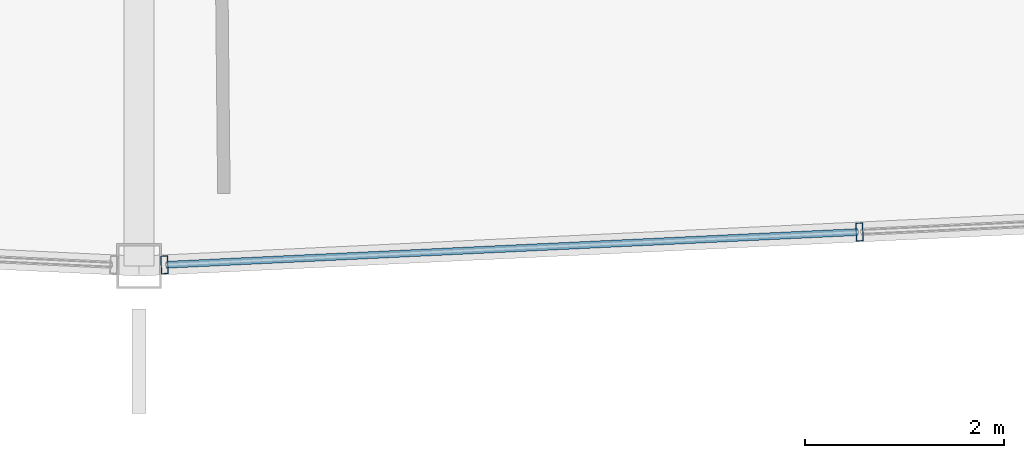
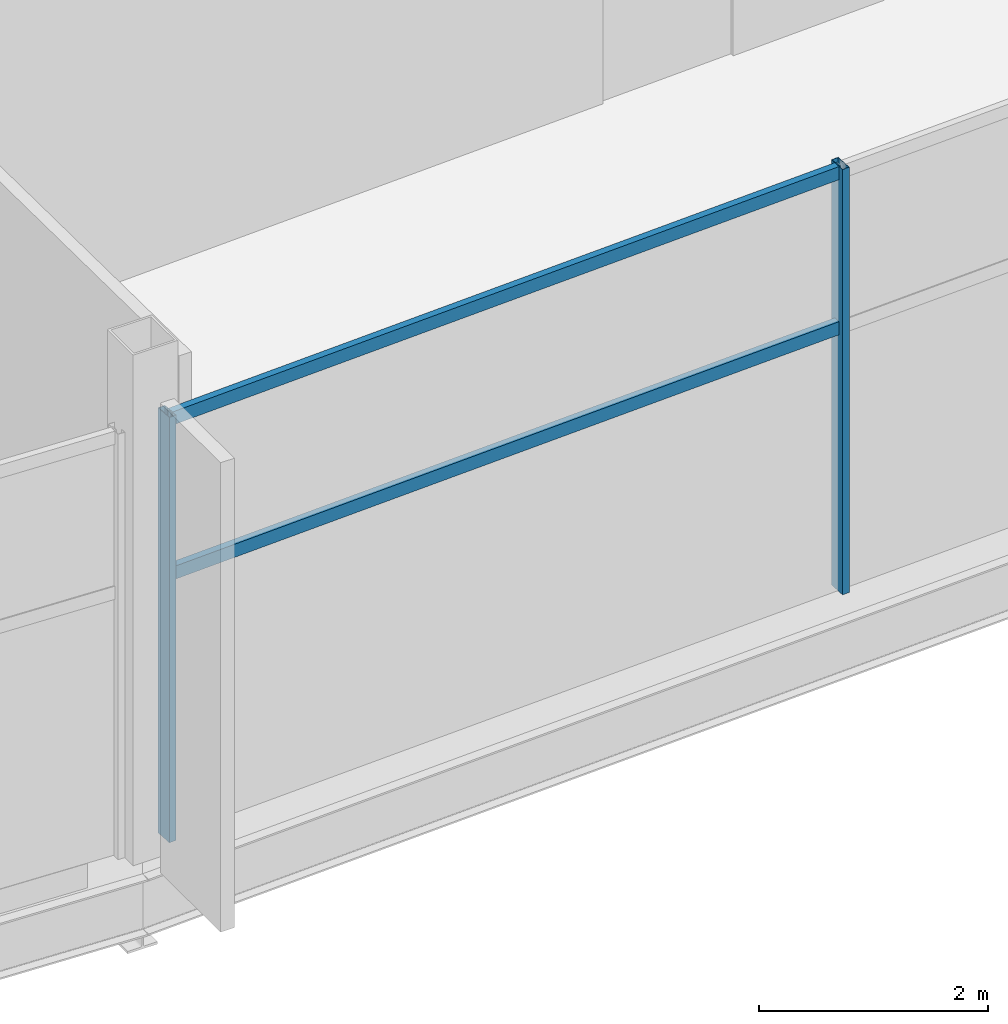
# One storey, part 33 of 186: 4 members, 1 element without a shape of its own.
"""IFC4 building model written with IfcOpenShell, lengths in metres."""

from ifc_helpers import new_model, si_unit, direction, frame, origin, origin_2d, place, context, subcontext, project, spatial, hollow_rectangle, extrude, material, layer, layer_set, material_profile, profile_set, type_object, element, aggregate, save


model = new_model("IFC4")

# Units and contexts
model_context = context("Model", 3, precision=1e-05, world=origin(), true_north=direction((0.0, 1.0)))
body_context = subcontext(model_context, "Body", "Model", "MODEL_VIEW")
ifc_project = project(units=[si_unit("LENGTHUNIT", "METRE"), si_unit("AREAUNIT", "SQUARE_METRE"), si_unit("VOLUMEUNIT", "CUBIC_METRE"), si_unit("PLANEANGLEUNIT", "RADIAN"), si_unit("MASSUNIT", "GRAM", prefix="KILO")], contexts=[model_context])

# Site, building, storey
site_placement = place(None, origin())
site = spatial("IfcSite", under=ifc_project, at=site_placement, CompositionType="ELEMENT")
building_placement = place(site_placement, origin())
building = spatial("IfcBuilding", under=site, at=building_placement, Name="Kazemori Nagisa Stadium", CompositionType="ELEMENT")
storey_placement = place(building_placement, frame((0.0, 0.0, 20.39990234375)))
storey = spatial("IfcBuildingStorey", under=building, at=storey_placement, Name="L04", CompositionType="ELEMENT", Elevation=20.39990234375)

# Curtain wall, members
ifc_material_1 = material(Name="Anodised aluminium 6063-T5", Category="aluminium")
ifc_layer = layer(ifc_material_1, 0.179931640625, Name="Anodised aluminium 6063-T5", Category="aluminium")
ifc_layer_set = layer_set([ifc_layer], Name="Anodised aluminium 6063-T5")
curtain_wall_type = type_object("IfcCurtainWallType", Name="CW_L04R3_105", PredefinedType="USERDEFINED", material=ifc_layer_set)
curtain_wall_placement = place(storey_placement, origin())
curtain_wall = element("IfcCurtainWall", 1, at=curtain_wall_placement, inside=storey, type_object=curtain_wall_type, Name="Unitised curtain wall CW-L04R3-105 L04", ObjectType="UNITISED CURTAIN WALL", PredefinedType="USERDEFINED")
ifc_material_2 = material(Name="Aluminium 6063-T5 anodised", Category="aluminium")
ifc_material_profile_1 = material_profile(ifc_material_2, hollow_rectangle(XDim=0.070068359375, YDim=0.179931640625, WallThickness=0.00390625, at=origin_2d()), Name="ALU-MULL-70x180x4")
ifc_profile_set_1 = profile_set([ifc_material_profile_1], Name="Aluminium 6063-T5 anodised")
member_type_1 = type_object("IfcMemberType", Name="Mullion_M01", PredefinedType="MULLION", material=ifc_profile_set_1)
member_1_placement = place(storey_placement, frame((123.254638671875, 16.011962890625, 0.0), z_axis=(0.0, 0.0, 1.0), x_axis=(0.998884022476, 0.047230388971, 0.0)))
member_1 = element("IfcMember", 2, at=member_1_placement, type_object=member_type_1, Name="Curtain wall mullion CW-L04R3-105-M1", PredefinedType="MULLION", context=body_context, shape_type="SweptSolid", body=[
    extrude(hollow_rectangle(XDim=0.070068359375, YDim=0.179931640625, WallThickness=0.00390625, at=origin_2d()), origin(), (0.0, 0.0, 1.0), 4.530029296875),
])
member_2_placement = place(storey_placement, frame((130.2275390625, 16.341796875, 0.0), z_axis=(0.0, 0.0, 1.0), x_axis=(0.998884022476, 0.047230388971, 0.0)))
member_2 = element("IfcMember", 3, at=member_2_placement, type_object=member_type_1, Name="Curtain wall mullion CW-L04R3-105-M2", PredefinedType="MULLION", context=body_context, shape_type="SweptSolid", body=[
    extrude(hollow_rectangle(XDim=0.070068359375, YDim=0.179931640625, WallThickness=0.00390625, at=origin_2d()), origin(), (0.0, 0.0, 1.0), 4.530029296875),
])
ifc_material_profile_2 = material_profile(ifc_material_2, hollow_rectangle(XDim=0.070068359375, YDim=0.139892578125, WallThickness=0.00390625, at=origin_2d()), Name="ALU-TRAN-70x140x4")
ifc_profile_set_2 = profile_set([ifc_material_profile_2], Name="Aluminium 6063-T5 anodised")
member_type_2 = type_object("IfcMemberType", Name="Transom_T01", PredefinedType="USERDEFINED", material=ifc_profile_set_2)
member_3_placement = place(storey_placement, frame((123.274658203125, 16.012939453125, 2.80859375), z_axis=(0.998883524201, 0.047240925908, 0.0), x_axis=(-0.047240925908, 0.998883524201, 0.0)))
member_3 = element("IfcMember", 4, at=member_3_placement, type_object=member_type_2, Name="Curtain wall transom CW-L04R3-105-T1-mid", ObjectType="TRANSOM", PredefinedType="USERDEFINED", context=body_context, shape_type="SweptSolid", body=[
    extrude(hollow_rectangle(XDim=0.070068359375, YDim=0.139892578125, WallThickness=0.00390625, at=origin_2d()), origin(), (0.0, 0.0, 1.0), 6.940673828125),
])
member_4_placement = place(storey_placement, frame((123.274658203125, 16.012939453125, 4.460205078125), z_axis=(0.998883524201, 0.047240925908, 0.0), x_axis=(-0.047240925908, 0.998883524201, 0.0)))
member_4 = element("IfcMember", 5, at=member_4_placement, type_object=member_type_2, Name="Curtain wall transom CW-L04R3-105-T1-head", ObjectType="TRANSOM", PredefinedType="USERDEFINED", context=body_context, shape_type="SweptSolid", body=[
    extrude(hollow_rectangle(XDim=0.070068359375, YDim=0.139892578125, WallThickness=0.00390625, at=origin_2d()), origin(), (0.0, 0.0, 1.0), 6.940673828125),
])
aggregate(curtain_wall, [member_1, member_2, member_3, member_4])

save(model, "model.ifc")
